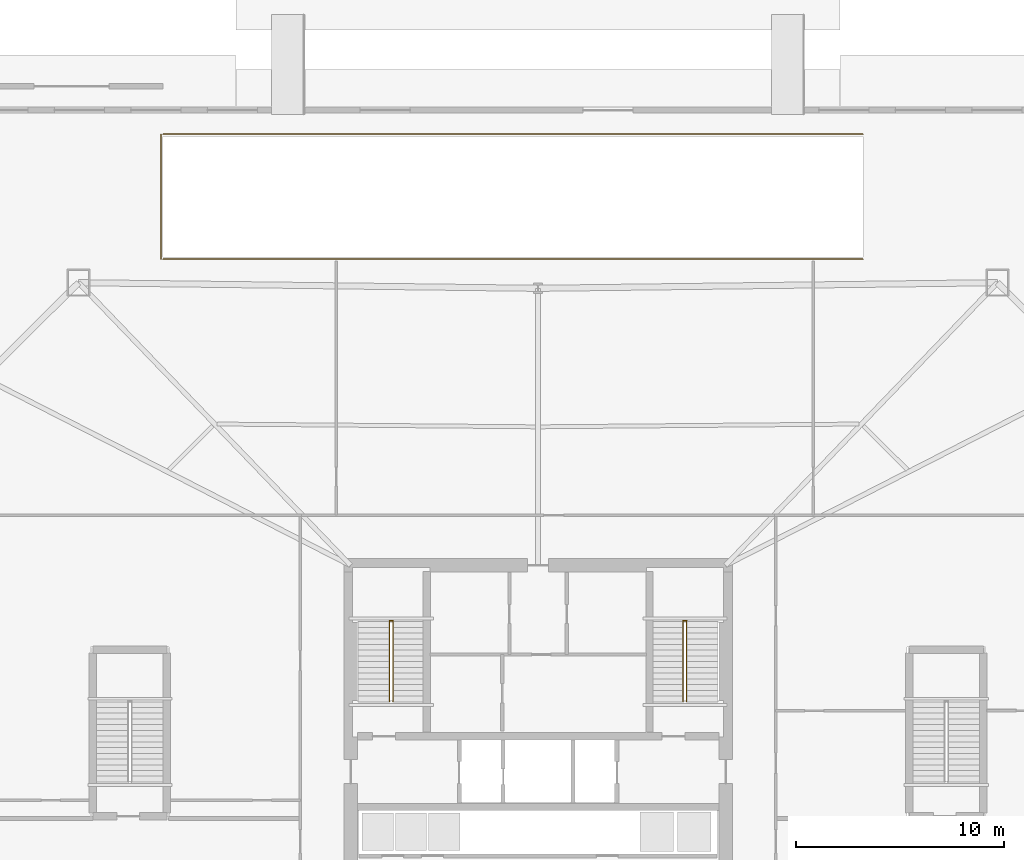
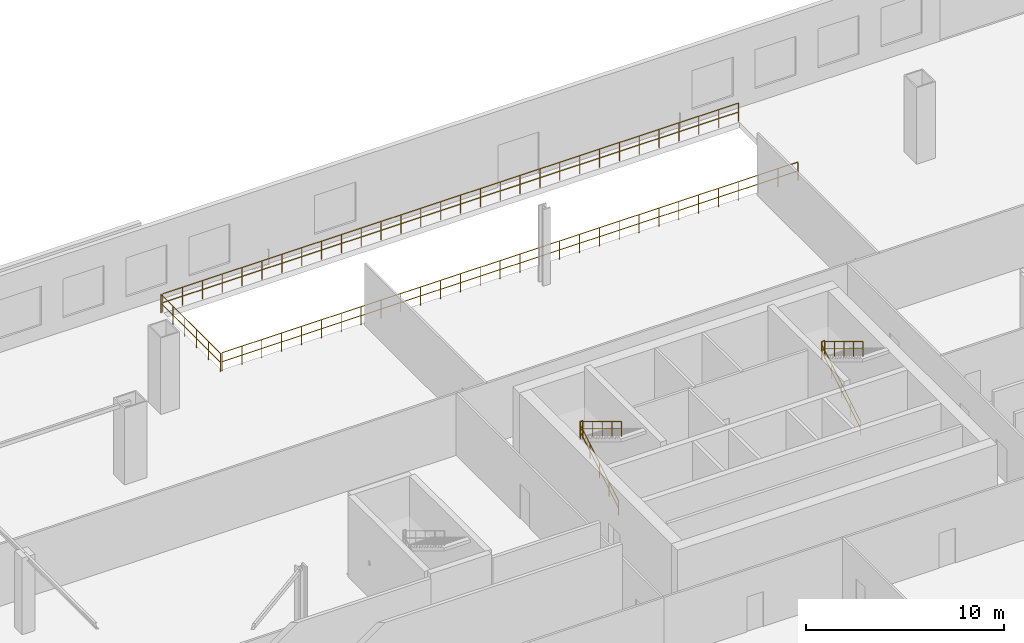
# One storey, part 21 of 23: 9 railings.
"""IFC4 building model written with IfcOpenShell, lengths in metres."""

from ifc_helpers import new_model, si_unit, direction, frame, origin, origin_2d, place, context, subcontext, project, spatial, circle, extrude, material, type_object, element, save


model = new_model("IFC4")

# Units and contexts
model_context = context("Model", 3, precision=1e-05, world=origin(), true_north=direction((0.0, 1.0)))
body_context = subcontext(model_context, "Body", "Model", "MODEL_VIEW")
ifc_project = project(units=[si_unit("LENGTHUNIT", "METRE"), si_unit("AREAUNIT", "SQUARE_METRE"), si_unit("VOLUMEUNIT", "CUBIC_METRE"), si_unit("PLANEANGLEUNIT", "RADIAN"), si_unit("MASSUNIT", "GRAM", prefix="KILO")], contexts=[model_context])

# Site, building, storey
site_placement = place(None, origin())
site = spatial("IfcSite", under=ifc_project, at=site_placement, CompositionType="ELEMENT")
building_placement = place(site_placement, origin())
building = spatial("IfcBuilding", under=site, at=building_placement, Name="Caelvoria Tower", CompositionType="ELEMENT")
storey_placement = place(building_placement, origin())
storey = spatial("IfcBuildingStorey", under=building, at=storey_placement, Name="L00", CompositionType="ELEMENT", Elevation=0.0)

# Railings
ifc_material_1 = material(Name="Brushed Stainless Steel Tube", Category="steel")
railing_type_1 = type_object("IfcRailingType", Name="Stair Tubular Stainless Handrail 920", PredefinedType="HANDRAIL", material=ifc_material_1)
railing_1_placement = place(storey_placement, frame((38.8701171875, 33.449951171875, 0.166748046875)))
element("IfcRailing", 1, at=railing_1_placement, inside=storey, type_object=railing_type_1, Name="ST-01 Flight 1 Handrail L00", PredefinedType="HANDRAIL", context=body_context, shape_type="SweptSolid", body=[
    extrude(circle(Radius=0.02392578125, at=origin_2d()), frame((0.0, 0.0, 0.89599609375), z_axis=(0.0, 0.855211671081, 0.518278880185), x_axis=(-1.0, 0.0, 0.0)), (0.0, 0.0, 1.0), 4.501953125),
    extrude(circle(Radius=0.02392578125, at=origin_2d()), frame((0.0, 0.0, 0.4599609375), z_axis=(0.0, 0.855211671081, 0.518278880185), x_axis=(-1.0, 0.0, 0.0)), (0.0, 0.0, 1.0), 4.501953125),
    extrude(circle(Radius=0.02099609375, at=origin_2d()), origin(), (0.0, 0.0, 1.0), 0.871826171875),
    extrude(circle(Radius=0.02099609375, at=origin_2d()), frame((0.0, 0.96240234375, 0.583251953125)), (0.0, 0.0, 1.0), 0.871826171875),
    extrude(circle(Radius=0.02099609375, at=origin_2d()), frame((0.0, 1.925048828125, 1.16650390625)), (0.0, 0.0, 1.0), 0.871826171875),
    extrude(circle(Radius=0.02099609375, at=origin_2d()), frame((0.0, 2.8876953125, 1.75)), (0.0, 0.0, 1.0), 0.871826171875),
    extrude(circle(Radius=0.02099609375, at=origin_2d()), frame((0.0, 3.85009765625, 2.333251953125)), (0.0, 0.0, 1.0), 0.871826171875),
])
railing_2_placement = place(storey_placement, frame((39.030029296875, 37.300048828125, 2.666748046875)))
element("IfcRailing", 2, at=railing_2_placement, inside=storey, type_object=railing_type_1, Name="ST-01 Flight 2 Handrail L00", PredefinedType="HANDRAIL", context=body_context, shape_type="SweptSolid", body=[
    extrude(circle(Radius=0.02392578125, at=origin_2d()), frame((0.0, 0.0, 0.89599609375), z_axis=(0.0, -0.855211671081, 0.518278880185), x_axis=(1.0, 0.0, 0.0)), (0.0, 0.0, 1.0), 4.501953125),
    extrude(circle(Radius=0.02392578125, at=origin_2d()), frame((0.0, 0.0, 0.4599609375), z_axis=(0.0, -0.855211671081, 0.518278880185), x_axis=(1.0, 0.0, 0.0)), (0.0, 0.0, 1.0), 4.501953125),
    extrude(circle(Radius=0.02099609375, at=origin_2d()), origin(), (0.0, 0.0, 1.0), 0.871826171875),
    extrude(circle(Radius=0.02099609375, at=origin_2d()), frame((0.0, -0.96240234375, 0.583251953125)), (0.0, 0.0, 1.0), 0.871826171875),
    extrude(circle(Radius=0.02099609375, at=origin_2d()), frame((0.0, -1.925048828125, 1.16650390625)), (0.0, 0.0, 1.0), 0.871826171875),
    extrude(circle(Radius=0.02099609375, at=origin_2d()), frame((0.0, -2.8876953125, 1.75)), (0.0, 0.0, 1.0), 0.871826171875),
    extrude(circle(Radius=0.02099609375, at=origin_2d()), frame((0.0, -3.85009765625, 2.333251953125)), (0.0, 0.0, 1.0), 0.871826171875),
])
railing_3_placement = place(storey_placement, frame((52.969970703125, 33.449951171875, 0.166748046875)))
element("IfcRailing", 3, at=railing_3_placement, inside=storey, type_object=railing_type_1, Name="ST-02 Flight 1 Handrail L00", PredefinedType="HANDRAIL", context=body_context, shape_type="SweptSolid", body=[
    extrude(circle(Radius=0.02392578125, at=origin_2d()), frame((0.0, 0.0, 0.89599609375), z_axis=(0.0, 0.855211671081, 0.518278880185), x_axis=(-1.0, 0.0, 0.0)), (0.0, 0.0, 1.0), 4.501953125),
    extrude(circle(Radius=0.02392578125, at=origin_2d()), frame((0.0, 0.0, 0.4599609375), z_axis=(0.0, 0.855211671081, 0.518278880185), x_axis=(-1.0, 0.0, 0.0)), (0.0, 0.0, 1.0), 4.501953125),
    extrude(circle(Radius=0.02099609375, at=origin_2d()), origin(), (0.0, 0.0, 1.0), 0.871826171875),
    extrude(circle(Radius=0.02099609375, at=origin_2d()), frame((0.0, 0.96240234375, 0.583251953125)), (0.0, 0.0, 1.0), 0.871826171875),
    extrude(circle(Radius=0.02099609375, at=origin_2d()), frame((0.0, 1.925048828125, 1.16650390625)), (0.0, 0.0, 1.0), 0.871826171875),
    extrude(circle(Radius=0.02099609375, at=origin_2d()), frame((0.0, 2.8876953125, 1.75)), (0.0, 0.0, 1.0), 0.871826171875),
    extrude(circle(Radius=0.02099609375, at=origin_2d()), frame((0.0, 3.85009765625, 2.333251953125)), (0.0, 0.0, 1.0), 0.871826171875),
])
railing_4_placement = place(storey_placement, frame((53.1298828125, 37.300048828125, 2.666748046875)))
element("IfcRailing", 4, at=railing_4_placement, inside=storey, type_object=railing_type_1, Name="ST-02 Flight 2 Handrail L00", PredefinedType="HANDRAIL", context=body_context, shape_type="SweptSolid", body=[
    extrude(circle(Radius=0.02392578125, at=origin_2d()), frame((0.0, 0.0, 0.89599609375), z_axis=(0.0, -0.855211671081, 0.518278880185), x_axis=(1.0, 0.0, 0.0)), (0.0, 0.0, 1.0), 4.501953125),
    extrude(circle(Radius=0.02392578125, at=origin_2d()), frame((0.0, 0.0, 0.4599609375), z_axis=(0.0, -0.855211671081, 0.518278880185), x_axis=(1.0, 0.0, 0.0)), (0.0, 0.0, 1.0), 4.501953125),
    extrude(circle(Radius=0.02099609375, at=origin_2d()), origin(), (0.0, 0.0, 1.0), 0.871826171875),
    extrude(circle(Radius=0.02099609375, at=origin_2d()), frame((0.0, -0.96240234375, 0.583251953125)), (0.0, 0.0, 1.0), 0.871826171875),
    extrude(circle(Radius=0.02099609375, at=origin_2d()), frame((0.0, -1.925048828125, 1.16650390625)), (0.0, 0.0, 1.0), 0.871826171875),
    extrude(circle(Radius=0.02099609375, at=origin_2d()), frame((0.0, -2.8876953125, 1.75)), (0.0, 0.0, 1.0), 0.871826171875),
    extrude(circle(Radius=0.02099609375, at=origin_2d()), frame((0.0, -3.85009765625, 2.333251953125)), (0.0, 0.0, 1.0), 0.871826171875),
])
ifc_material_2 = material(Name="Brushed Stainless Steel Guardrail", Category="steel")
railing_type_2 = type_object("IfcRailingType", Name="Stair Well and Ramp Guardrail 1120", PredefinedType="GUARDRAIL", material=ifc_material_2)
for number, where, name in (
    (5, (38.8701171875, 37.340087890625, 2.5), "ST-01 Half-Landing Well Guard L00"),
    (6, (52.969970703125, 37.340087890625, 2.5), "ST-02 Half-Landing Well Guard L00"),
):
    element("IfcRailing", number, at=place(storey_placement, frame(where)), inside=storey, type_object=railing_type_2, Name=name, PredefinedType="GUARDRAIL", context=body_context, shape_type="SweptSolid", body=[
        extrude(circle(Radius=0.02392578125, at=origin_2d()), frame((0.0, 0.0, 1.09619140625), z_axis=(1.0, 0.0, 0.0), x_axis=(0.0, 1.0, 0.0)), (0.0, 0.0, 1.0), 0.159912109375),
        extrude(circle(Radius=0.02392578125, at=origin_2d()), frame((0.0, 0.0, 0.56005859375), z_axis=(1.0, 0.0, 0.0), x_axis=(0.0, 1.0, 0.0)), (0.0, 0.0, 1.0), 0.159912109375),
        extrude(circle(Radius=0.02099609375, at=origin_2d()), origin(), (0.0, 0.0, 1.0), 1.072021484375),
        extrude(circle(Radius=0.02099609375, at=origin_2d()), frame((0.159912109375, 0.0, 0.0)), (0.0, 0.0, 1.0), 1.072021484375),
    ])
railing_5_placement = place(storey_placement, frame((28.0, 54.699951171875, 0.0)))
element("IfcRailing", 7, at=railing_5_placement, inside=storey, type_object=railing_type_2, Name="Vehicular Ramp Well Guard South L00", PredefinedType="GUARDRAIL", context=body_context, shape_type="SweptSolid", body=[
    extrude(circle(Radius=0.02392578125, at=origin_2d()), frame((0.0, 0.0, 1.1259765625), z_axis=(1.0, 0.0, 0.0), x_axis=(0.0, 1.0, 0.0)), (0.0, 0.0, 1.0), 33.60009765625),
    extrude(circle(Radius=0.02392578125, at=origin_2d()), frame((0.0, 0.0, 0.574951171875), z_axis=(1.0, 0.0, 0.0), x_axis=(0.0, 1.0, 0.0)), (0.0, 0.0, 1.0), 33.60009765625),
    extrude(circle(Radius=0.02099609375, at=origin_2d()), origin(), (0.0, 0.0, 1.0), 1.101806640625),
    extrude(circle(Radius=0.02099609375, at=origin_2d()), frame((1.15869140625, 0.0, 0.0)), (0.0, 0.0, 1.0), 1.101806640625),
    extrude(circle(Radius=0.02099609375, at=origin_2d()), frame((2.317138671875, 0.0, 0.0)), (0.0, 0.0, 1.0), 1.101806640625),
    extrude(circle(Radius=0.02099609375, at=origin_2d()), frame((3.475830078125, 0.0, 0.0)), (0.0, 0.0, 1.0), 1.101806640625),
    extrude(circle(Radius=0.02099609375, at=origin_2d()), frame((4.634521484375, 0.0, 0.0)), (0.0, 0.0, 1.0), 1.101806640625),
    extrude(circle(Radius=0.02099609375, at=origin_2d()), frame((5.793212890625, 0.0, 0.0)), (0.0, 0.0, 1.0), 1.101806640625),
    extrude(circle(Radius=0.02099609375, at=origin_2d()), frame((6.95166015625, 0.0, 0.0)), (0.0, 0.0, 1.0), 1.101806640625),
    extrude(circle(Radius=0.02099609375, at=origin_2d()), frame((8.1103515625, 0.0, 0.0)), (0.0, 0.0, 1.0), 1.101806640625),
    extrude(circle(Radius=0.02099609375, at=origin_2d()), frame((9.26904296875, 0.0, 0.0)), (0.0, 0.0, 1.0), 1.101806640625),
    extrude(circle(Radius=0.02099609375, at=origin_2d()), frame((10.427734375, 0.0, 0.0)), (0.0, 0.0, 1.0), 1.101806640625),
    extrude(circle(Radius=0.02099609375, at=origin_2d()), frame((11.586181640625, 0.0, 0.0)), (0.0, 0.0, 1.0), 1.101806640625),
    extrude(circle(Radius=0.02099609375, at=origin_2d()), frame((12.744873046875, 0.0, 0.0)), (0.0, 0.0, 1.0), 1.101806640625),
    extrude(circle(Radius=0.02099609375, at=origin_2d()), frame((13.903564453125, 0.0, 0.0)), (0.0, 0.0, 1.0), 1.101806640625),
    extrude(circle(Radius=0.02099609375, at=origin_2d()), frame((15.06201171875, 0.0, 0.0)), (0.0, 0.0, 1.0), 1.101806640625),
    extrude(circle(Radius=0.02099609375, at=origin_2d()), frame((16.220703125, 0.0, 0.0)), (0.0, 0.0, 1.0), 1.101806640625),
    extrude(circle(Radius=0.02099609375, at=origin_2d()), frame((17.37939453125, 0.0, 0.0)), (0.0, 0.0, 1.0), 1.101806640625),
    extrude(circle(Radius=0.02099609375, at=origin_2d()), frame((18.5380859375, 0.0, 0.0)), (0.0, 0.0, 1.0), 1.101806640625),
    extrude(circle(Radius=0.02099609375, at=origin_2d()), frame((19.696533203125, 0.0, 0.0)), (0.0, 0.0, 1.0), 1.101806640625),
    extrude(circle(Radius=0.02099609375, at=origin_2d()), frame((20.855224609375, 0.0, 0.0)), (0.0, 0.0, 1.0), 1.101806640625),
    extrude(circle(Radius=0.02099609375, at=origin_2d()), frame((22.013916015625, 0.0, 0.0)), (0.0, 0.0, 1.0), 1.101806640625),
    extrude(circle(Radius=0.02099609375, at=origin_2d()), frame((23.17236328125, 0.0, 0.0)), (0.0, 0.0, 1.0), 1.101806640625),
    extrude(circle(Radius=0.02099609375, at=origin_2d()), frame((24.3310546875, 0.0, 0.0)), (0.0, 0.0, 1.0), 1.101806640625),
    extrude(circle(Radius=0.02099609375, at=origin_2d()), frame((25.48974609375, 0.0, 0.0)), (0.0, 0.0, 1.0), 1.101806640625),
    extrude(circle(Radius=0.02099609375, at=origin_2d()), frame((26.6484375, 0.0, 0.0)), (0.0, 0.0, 1.0), 1.101806640625),
    extrude(circle(Radius=0.02099609375, at=origin_2d()), frame((27.806884765625, 0.0, 0.0)), (0.0, 0.0, 1.0), 1.101806640625),
    extrude(circle(Radius=0.02099609375, at=origin_2d()), frame((28.965576171875, 0.0, 0.0)), (0.0, 0.0, 1.0), 1.101806640625),
    extrude(circle(Radius=0.02099609375, at=origin_2d()), frame((30.124267578125, 0.0, 0.0)), (0.0, 0.0, 1.0), 1.101806640625),
    extrude(circle(Radius=0.02099609375, at=origin_2d()), frame((31.282958984375, 0.0, 0.0)), (0.0, 0.0, 1.0), 1.101806640625),
    extrude(circle(Radius=0.02099609375, at=origin_2d()), frame((32.44140625, 0.0, 0.0)), (0.0, 0.0, 1.0), 1.101806640625),
    extrude(circle(Radius=0.02099609375, at=origin_2d()), frame((33.60009765625, 0.0, 0.0)), (0.0, 0.0, 1.0), 1.101806640625),
])
railing_6_placement = place(storey_placement, frame((28.0, 60.699951171875, 0.0)))
element("IfcRailing", 8, at=railing_6_placement, inside=storey, type_object=railing_type_2, Name="Vehicular Ramp Well Guard North L00", PredefinedType="GUARDRAIL", context=body_context, shape_type="SweptSolid", body=[
    extrude(circle(Radius=0.02392578125, at=origin_2d()), frame((0.0, 0.0, 1.1259765625), z_axis=(1.0, 0.0, 0.0), x_axis=(0.0, 1.0, 0.0)), (0.0, 0.0, 1.0), 33.60009765625),
    extrude(circle(Radius=0.02392578125, at=origin_2d()), frame((0.0, 0.0, 0.574951171875), z_axis=(1.0, 0.0, 0.0), x_axis=(0.0, 1.0, 0.0)), (0.0, 0.0, 1.0), 33.60009765625),
    extrude(circle(Radius=0.02099609375, at=origin_2d()), origin(), (0.0, 0.0, 1.0), 1.101806640625),
    extrude(circle(Radius=0.02099609375, at=origin_2d()), frame((1.15869140625, 0.0, 0.0)), (0.0, 0.0, 1.0), 1.101806640625),
    extrude(circle(Radius=0.02099609375, at=origin_2d()), frame((2.317138671875, 0.0, 0.0)), (0.0, 0.0, 1.0), 1.101806640625),
    extrude(circle(Radius=0.02099609375, at=origin_2d()), frame((3.475830078125, 0.0, 0.0)), (0.0, 0.0, 1.0), 1.101806640625),
    extrude(circle(Radius=0.02099609375, at=origin_2d()), frame((4.634521484375, 0.0, 0.0)), (0.0, 0.0, 1.0), 1.101806640625),
    extrude(circle(Radius=0.02099609375, at=origin_2d()), frame((5.793212890625, 0.0, 0.0)), (0.0, 0.0, 1.0), 1.101806640625),
    extrude(circle(Radius=0.02099609375, at=origin_2d()), frame((6.95166015625, 0.0, 0.0)), (0.0, 0.0, 1.0), 1.101806640625),
    extrude(circle(Radius=0.02099609375, at=origin_2d()), frame((8.1103515625, 0.0, 0.0)), (0.0, 0.0, 1.0), 1.101806640625),
    extrude(circle(Radius=0.02099609375, at=origin_2d()), frame((9.26904296875, 0.0, 0.0)), (0.0, 0.0, 1.0), 1.101806640625),
    extrude(circle(Radius=0.02099609375, at=origin_2d()), frame((10.427734375, 0.0, 0.0)), (0.0, 0.0, 1.0), 1.101806640625),
    extrude(circle(Radius=0.02099609375, at=origin_2d()), frame((11.586181640625, 0.0, 0.0)), (0.0, 0.0, 1.0), 1.101806640625),
    extrude(circle(Radius=0.02099609375, at=origin_2d()), frame((12.744873046875, 0.0, 0.0)), (0.0, 0.0, 1.0), 1.101806640625),
    extrude(circle(Radius=0.02099609375, at=origin_2d()), frame((13.903564453125, 0.0, 0.0)), (0.0, 0.0, 1.0), 1.101806640625),
    extrude(circle(Radius=0.02099609375, at=origin_2d()), frame((15.06201171875, 0.0, 0.0)), (0.0, 0.0, 1.0), 1.101806640625),
    extrude(circle(Radius=0.02099609375, at=origin_2d()), frame((16.220703125, 0.0, 0.0)), (0.0, 0.0, 1.0), 1.101806640625),
    extrude(circle(Radius=0.02099609375, at=origin_2d()), frame((17.37939453125, 0.0, 0.0)), (0.0, 0.0, 1.0), 1.101806640625),
    extrude(circle(Radius=0.02099609375, at=origin_2d()), frame((18.5380859375, 0.0, 0.0)), (0.0, 0.0, 1.0), 1.101806640625),
    extrude(circle(Radius=0.02099609375, at=origin_2d()), frame((19.696533203125, 0.0, 0.0)), (0.0, 0.0, 1.0), 1.101806640625),
    extrude(circle(Radius=0.02099609375, at=origin_2d()), frame((20.855224609375, 0.0, 0.0)), (0.0, 0.0, 1.0), 1.101806640625),
    extrude(circle(Radius=0.02099609375, at=origin_2d()), frame((22.013916015625, 0.0, 0.0)), (0.0, 0.0, 1.0), 1.101806640625),
    extrude(circle(Radius=0.02099609375, at=origin_2d()), frame((23.17236328125, 0.0, 0.0)), (0.0, 0.0, 1.0), 1.101806640625),
    extrude(circle(Radius=0.02099609375, at=origin_2d()), frame((24.3310546875, 0.0, 0.0)), (0.0, 0.0, 1.0), 1.101806640625),
    extrude(circle(Radius=0.02099609375, at=origin_2d()), frame((25.48974609375, 0.0, 0.0)), (0.0, 0.0, 1.0), 1.101806640625),
    extrude(circle(Radius=0.02099609375, at=origin_2d()), frame((26.6484375, 0.0, 0.0)), (0.0, 0.0, 1.0), 1.101806640625),
    extrude(circle(Radius=0.02099609375, at=origin_2d()), frame((27.806884765625, 0.0, 0.0)), (0.0, 0.0, 1.0), 1.101806640625),
    extrude(circle(Radius=0.02099609375, at=origin_2d()), frame((28.965576171875, 0.0, 0.0)), (0.0, 0.0, 1.0), 1.101806640625),
    extrude(circle(Radius=0.02099609375, at=origin_2d()), frame((30.124267578125, 0.0, 0.0)), (0.0, 0.0, 1.0), 1.101806640625),
    extrude(circle(Radius=0.02099609375, at=origin_2d()), frame((31.282958984375, 0.0, 0.0)), (0.0, 0.0, 1.0), 1.101806640625),
    extrude(circle(Radius=0.02099609375, at=origin_2d()), frame((32.44140625, 0.0, 0.0)), (0.0, 0.0, 1.0), 1.101806640625),
    extrude(circle(Radius=0.02099609375, at=origin_2d()), frame((33.60009765625, 0.0, 0.0)), (0.0, 0.0, 1.0), 1.101806640625),
])
railing_7_placement = place(storey_placement, frame((27.89990234375, 54.699951171875, 0.0)))
element("IfcRailing", 9, at=railing_7_placement, inside=storey, type_object=railing_type_2, Name="Vehicular Ramp Well End Guard L00", PredefinedType="GUARDRAIL", context=body_context, shape_type="SweptSolid", body=[
    extrude(circle(Radius=0.02392578125, at=origin_2d()), frame((0.0, 0.0, 1.1259765625), z_axis=(0.0, 1.0, 0.0), x_axis=(-1.0, 0.0, 0.0)), (0.0, 0.0, 1.0), 6.0),
    extrude(circle(Radius=0.02392578125, at=origin_2d()), frame((0.0, 0.0, 0.574951171875), z_axis=(0.0, 1.0, 0.0), x_axis=(-1.0, 0.0, 0.0)), (0.0, 0.0, 1.0), 6.0),
    extrude(circle(Radius=0.02099609375, at=origin_2d()), origin(), (0.0, 0.0, 1.0), 1.101806640625),
    extrude(circle(Radius=0.02099609375, at=origin_2d()), frame((0.0, 1.199951171875, 0.0)), (0.0, 0.0, 1.0), 1.101806640625),
    extrude(circle(Radius=0.02099609375, at=origin_2d()), frame((0.0, 2.39990234375, 0.0)), (0.0, 0.0, 1.0), 1.101806640625),
    extrude(circle(Radius=0.02099609375, at=origin_2d()), frame((0.0, 3.60009765625, 0.0)), (0.0, 0.0, 1.0), 1.101806640625),
    extrude(circle(Radius=0.02099609375, at=origin_2d()), frame((0.0, 4.800048828125, 0.0)), (0.0, 0.0, 1.0), 1.101806640625),
    extrude(circle(Radius=0.02099609375, at=origin_2d()), frame((0.0, 6.0, 0.0)), (0.0, 0.0, 1.0), 1.101806640625),
])

save(model, "model.ifc")
